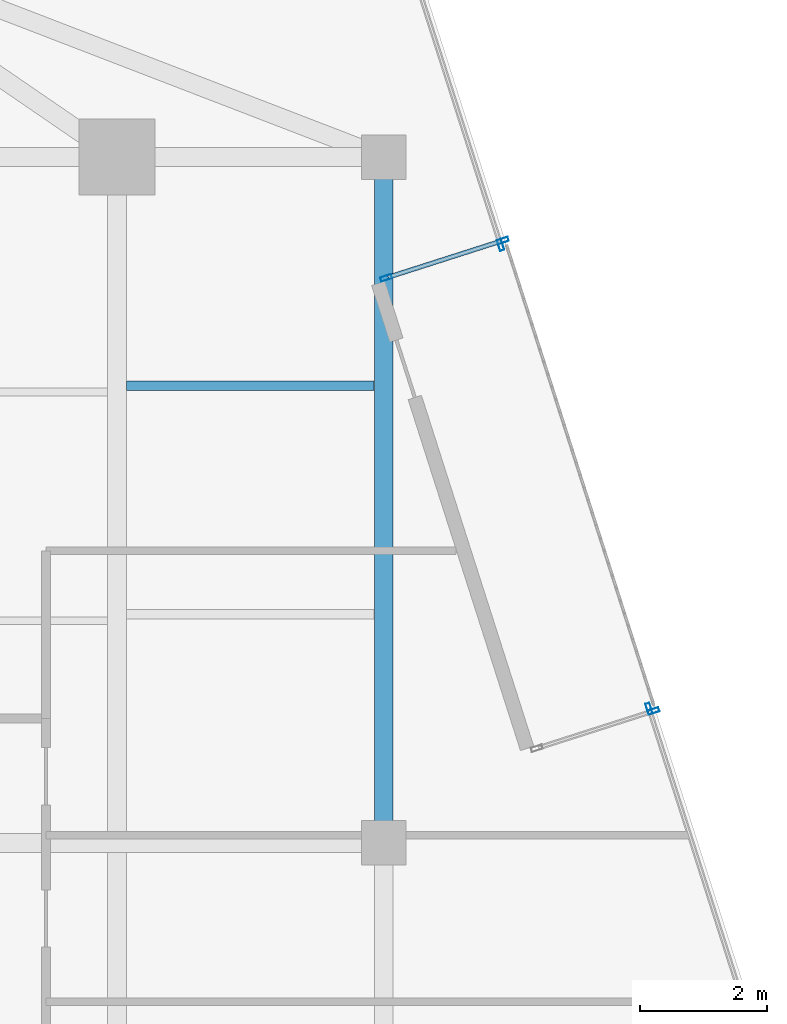
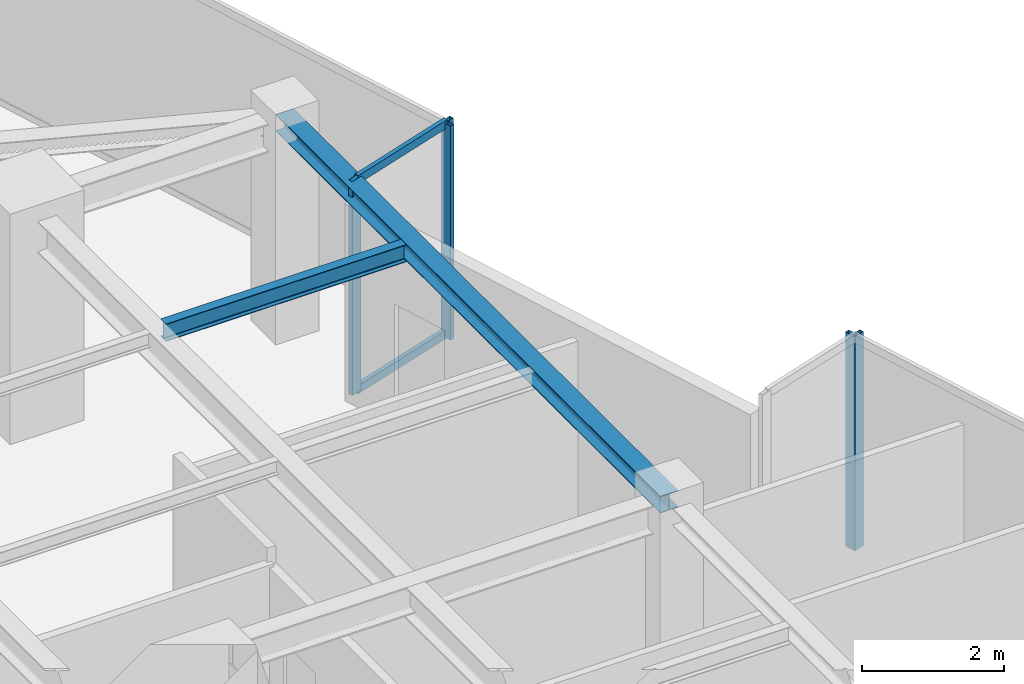
# One storey, part 12 of 21: 7 members, 2 beams, 4 elements without a shape of their own.
"""IFC4 building model written with IfcOpenShell, lengths in metres."""

from ifc_helpers import new_model, si_unit, direction, frame, origin, origin_2d, place, context, subcontext, project, spatial, hollow_rectangle, i_section, extrude, source, transform, mapped, material, material_profile, profile_set, type_object, type_shapes, element, aggregate, save


model = new_model("IFC4")

# Units and contexts
model_context = context("Model", 3, precision=1e-05, world=origin(), true_north=direction((0.0, 1.0)))
body_context = subcontext(model_context, "Body", "Model", "MODEL_VIEW")
ifc_project = project(units=[si_unit("LENGTHUNIT", "METRE"), si_unit("AREAUNIT", "SQUARE_METRE"), si_unit("VOLUMEUNIT", "CUBIC_METRE"), si_unit("PLANEANGLEUNIT", "RADIAN"), si_unit("MASSUNIT", "GRAM", prefix="KILO")], contexts=[model_context])

# Site, building, storey
site_placement = place(None, origin())
site = spatial("IfcSite", under=ifc_project, at=site_placement, CompositionType="ELEMENT")
building_placement = place(site_placement, origin())
building = spatial("IfcBuilding", under=site, at=building_placement, Name="Krantzveldt Concourse Tower", CompositionType="ELEMENT")
storey_placement = place(building_placement, frame((0.0, 0.0, 343.5)))
storey = spatial("IfcBuildingStorey", under=building, at=storey_placement, Name="L84", CompositionType="ELEMENT", Elevation=343.5)

# Beams
ifc_material_1 = material(Name="Steel S355JR", Category="steel")
ifc_material_profile_1 = material_profile(ifc_material_1, i_section(OverallWidth=0.2900390625, OverallDepth=0.2900390625, WebThickness=0.008544921875, FlangeThickness=0.013916015625, FilletRadius=0.027099609375, at=origin_2d()), Name="Steel S355JR", Category="steel")
ifc_profile_set_1 = profile_set([ifc_material_profile_1], Name="Steel S355JR - HEA 300")
beam_type_1 = type_object("IfcBeamType", Name="BM-SP-HEA300", PredefinedType="SPANDREL", material=ifc_profile_set_1)
shared_shape_1 = source(origin(), body_context, "Body", "SweptSolid", [
    extrude(i_section(OverallWidth=0.2900390625, OverallDepth=0.2900390625, WebThickness=0.008544921875, FlangeThickness=0.013916015625, FilletRadius=0.027099609375, at=origin_2d()), origin(), (0.0, 0.0, 1.0), 10.800048828125),
])
type_shapes(beam_type_1, [shared_shape_1])
beam_1_placement = place(storey_placement, frame((51.0, 37.5, 3.52490234375), z_axis=(0.0, -1.0, 0.0), x_axis=(1.0, 0.0, 0.0)))
element("IfcBeam", 1, at=beam_1_placement, inside=storey, type_object=beam_type_1, Name="L84 Tower Girder SP-R06", PredefinedType="SPANDREL", context=body_context, shape_type="MappedRepresentation", body=[
    mapped(shared_shape_1, transform((0.0, 0.0, 0.0), x_axis=(1.0, 0.0, 0.0), y_axis=(0.0, 1.0, 0.0), z_axis=(0.0, 0.0, 1.0), scale=1.0)),
])
ifc_material_profile_2 = material_profile(ifc_material_1, i_section(OverallWidth=0.14990234375, OverallDepth=0.300048828125, WebThickness=0.007080078125, FlangeThickness=0.0107421875, FilletRadius=0.014892578125, at=origin_2d()), Name="Steel S355JR", Category="steel")
ifc_profile_set_2 = profile_set([ifc_material_profile_2], Name="Steel S355JR - IPE 300")
beam_type_2 = type_object("IfcBeamType", Name="BM-J-IPE300", PredefinedType="JOIST", material=ifc_profile_set_2)
shared_shape_2 = source(origin(), body_context, "Body", "SweptSolid", [
    extrude(i_section(OverallWidth=0.14990234375, OverallDepth=0.300048828125, WebThickness=0.007080078125, FlangeThickness=0.0107421875, FilletRadius=0.014892578125, at=origin_2d()), origin(), (0.0, 0.0, 1.0), 3.900146484375),
])
type_shapes(beam_type_2, [shared_shape_2])
beam_2_placement = place(storey_placement, frame((46.949951171875, 33.89990234375, 3.52001953125), z_axis=(1.0, 0.0, 0.0), x_axis=(0.0, 1.0, 0.0)))
element("IfcBeam", 2, at=beam_2_placement, inside=storey, type_object=beam_type_2, Name="L84 Secondary Floor Joist JE-4", PredefinedType="JOIST", context=body_context, shape_type="MappedRepresentation", body=[
    mapped(shared_shape_2, transform((0.0, 0.0, 0.0), x_axis=(1.0, 0.0, 0.0), y_axis=(0.0, 1.0, 0.0), z_axis=(0.0, 0.0, 1.0), scale=1.0)),
])

# Curtain wall, member
ifc_material_2 = material(Name="Anodised aluminium 6063-T6", Category="aluminium")
curtain_wall_type_1 = type_object("IfcCurtainWallType", Name="CW4", PredefinedType="USERDEFINED", material=ifc_material_2)
curtain_wall_1_placement = place(storey_placement, origin())
curtain_wall_1 = element("IfcCurtainWall", 3, at=curtain_wall_1_placement, inside=storey, type_object=curtain_wall_type_1, Name="CW-L84-F10", ObjectType="UNITISED CURTAIN WALL", PredefinedType="USERDEFINED")
ifc_material_profile_3 = material_profile(ifc_material_2, hollow_rectangle(XDim=0.070068359375, YDim=0.179931640625, WallThickness=0.0048828125, at=origin_2d()), Name="Anodised aluminium 6063-T6", Category="aluminium")
ifc_profile_set_3 = profile_set([ifc_material_profile_3], Name="Anodised aluminium 6063-T6 - ALU-MULL 180x70x5")
member_type_1 = type_object("IfcMemberType", Name="CW-MUL-180", PredefinedType="MULLION", material=ifc_profile_set_3)
shared_shape_3 = source(origin(), body_context, "Body", "SweptSolid", [
    extrude(hollow_rectangle(XDim=0.070068359375, YDim=0.179931640625, WallThickness=0.0048828125, at=origin_2d()), origin(), (0.0, 0.0, 1.0), 3.669921875),
])
type_shapes(member_type_1, [shared_shape_3])
member_1_placement = place(storey_placement, frame((55.178955078125, 28.8125, 0.0), z_axis=(0.0, 0.0, 1.0), x_axis=(-0.952395720224, -0.304864547135, 0.0)))
member_1 = element("IfcMember", 4, at=member_1_placement, type_object=member_type_1, Name="CW-Z56 mullion 2", PredefinedType="MULLION", context=body_context, shape_type="MappedRepresentation", body=[
    mapped(shared_shape_3, transform((0.0, 0.0, 0.0), x_axis=(1.0, 0.0, 0.0), y_axis=(0.0, 1.0, 0.0), z_axis=(0.0, 0.0, 1.0), scale=1.0)),
])
aggregate(curtain_wall_1, [member_1])

curtain_wall_type_2 = type_object("IfcCurtainWallType", Name="CW6", PredefinedType="USERDEFINED", material=ifc_material_2)
curtain_wall_2_placement = place(storey_placement, origin())
curtain_wall_2 = element("IfcCurtainWall", 5, at=curtain_wall_2_placement, inside=storey, type_object=curtain_wall_type_2, Name="CW-L84-TR11", ObjectType="UNITISED CURTAIN WALL", PredefinedType="USERDEFINED")
member_2_placement = place(storey_placement, frame((55.248046875, 28.77685546875, 0.0), z_axis=(0.0, 0.0, 1.0), x_axis=(0.304865167035, -0.952395521792, 0.0)))
member_2 = element("IfcMember", 6, at=member_2_placement, type_object=member_type_1, Name="CW-TERR mullion 1", PredefinedType="MULLION", context=body_context, shape_type="MappedRepresentation", body=[
    mapped(shared_shape_3, transform((0.0, 0.0, 0.0), x_axis=(1.0, 0.0, 0.0), y_axis=(0.0, 1.0, 0.0), z_axis=(0.0, 0.0, 1.0), scale=1.0)),
])
aggregate(curtain_wall_2, [member_2])

# Curtain wall, members
curtain_wall_3_placement = place(storey_placement, origin())
curtain_wall_3 = element("IfcCurtainWall", 7, at=curtain_wall_3_placement, inside=storey, type_object=curtain_wall_type_2, Name="CW-L84-TR13", ObjectType="UNITISED CURTAIN WALL", PredefinedType="USERDEFINED")
member_3_placement = place(storey_placement, frame((51.0380859375, 35.59814453125, 0.0), z_axis=(0.0, 0.0, 1.0), x_axis=(-0.304863715281, 0.952395986502, 0.0)))
member_3 = element("IfcMember", 8, at=member_3_placement, type_object=member_type_1, Name="CW-TERR mullion 1", PredefinedType="MULLION", context=body_context, shape_type="MappedRepresentation", body=[
    mapped(shared_shape_3, transform((0.0, 0.0, 0.0), x_axis=(1.0, 0.0, 0.0), y_axis=(0.0, 1.0, 0.0), z_axis=(0.0, 0.0, 1.0), scale=1.0)),
])
member_4_placement = place(storey_placement, frame((52.876220703125, 36.1865234375, 0.0), z_axis=(0.0, 0.0, 1.0), x_axis=(-0.304863715281, 0.952395986502, 0.0)))
member_4 = element("IfcMember", 9, at=member_4_placement, type_object=member_type_1, Name="CW-TERR mullion 2", PredefinedType="MULLION", context=body_context, shape_type="MappedRepresentation", body=[
    mapped(shared_shape_3, transform((0.0, 0.0, 0.0), x_axis=(1.0, 0.0, 0.0), y_axis=(0.0, 1.0, 0.0), z_axis=(0.0, 0.0, 1.0), scale=1.0)),
])

# Curtain wall, member
curtain_wall_4_placement = place(storey_placement, origin())
curtain_wall_4 = element("IfcCurtainWall", 10, at=curtain_wall_4_placement, inside=storey, type_object=curtain_wall_type_1, Name="CW-L84-F14", ObjectType="UNITISED CURTAIN WALL", PredefinedType="USERDEFINED")
member_5_placement = place(storey_placement, frame((52.840576171875, 36.117431640625, 0.0), z_axis=(0.0, 0.0, 1.0), x_axis=(-0.952395720224, -0.304864547135, 0.0)))
member_5 = element("IfcMember", 11, at=member_5_placement, type_object=member_type_1, Name="CW-Z56 mullion 1", PredefinedType="MULLION", context=body_context, shape_type="MappedRepresentation", body=[
    mapped(shared_shape_3, transform((0.0, 0.0, 0.0), x_axis=(1.0, 0.0, 0.0), y_axis=(0.0, 1.0, 0.0), z_axis=(0.0, 0.0, 1.0), scale=1.0)),
])
aggregate(curtain_wall_4, [member_5])

# Member
ifc_material_profile_4 = material_profile(ifc_material_2, hollow_rectangle(XDim=0.070068359375, YDim=0.139892578125, WallThickness=0.0048828125, at=origin_2d()), Name="Anodised aluminium 6063-T6", Category="aluminium")
ifc_profile_set_4 = profile_set([ifc_material_profile_4], Name="Anodised aluminium 6063-T6 - ALU-TRAN 140x70x5")
member_type_2 = type_object("IfcMemberType", Name="CW-TRN-150", PredefinedType="USERDEFINED", material=ifc_profile_set_4)
shared_shape_4 = source(origin(), body_context, "Body", "SweptSolid", [
    extrude(hollow_rectangle(XDim=0.070068359375, YDim=0.139892578125, WallThickness=0.0048828125, at=origin_2d()), origin(), (0.0, 0.0, 1.0), 1.860107421875),
])
type_shapes(member_type_2, [shared_shape_4])
member_6_placement = place(storey_placement, frame((51.071533203125, 35.60888671875, 0.034912109375), z_axis=(0.952382990504, 0.304904311872, 0.0), x_axis=(-0.304904311872, 0.952382990504, 0.0)))
member_6 = element("IfcMember", 12, at=member_6_placement, type_object=member_type_2, Name="CW-TERR transom 1.1", ObjectType="TRANSOM", PredefinedType="USERDEFINED", context=body_context, shape_type="MappedRepresentation", body=[
    mapped(shared_shape_4, transform((0.0, 0.0, 0.0), x_axis=(1.0, 0.0, 0.0), y_axis=(0.0, 1.0, 0.0), z_axis=(0.0, 0.0, 1.0), scale=1.0)),
])

member_7_placement = place(storey_placement, frame((51.071533203125, 35.60888671875, 3.635009765625), z_axis=(0.952382990504, 0.304904311872, 0.0), x_axis=(-0.304904311872, 0.952382990504, 0.0)))
member_7 = element("IfcMember", 13, at=member_7_placement, type_object=member_type_2, Name="CW-TERR transom 1.2", ObjectType="TRANSOM", PredefinedType="USERDEFINED", context=body_context, shape_type="MappedRepresentation", body=[
    mapped(shared_shape_4, transform((0.0, 0.0, 0.0), x_axis=(1.0, 0.0, 0.0), y_axis=(0.0, 1.0, 0.0), z_axis=(0.0, 0.0, 1.0), scale=1.0)),
])

aggregate(curtain_wall_3, [member_3, member_4, member_6, member_7])

save(model, "model.ifc")
